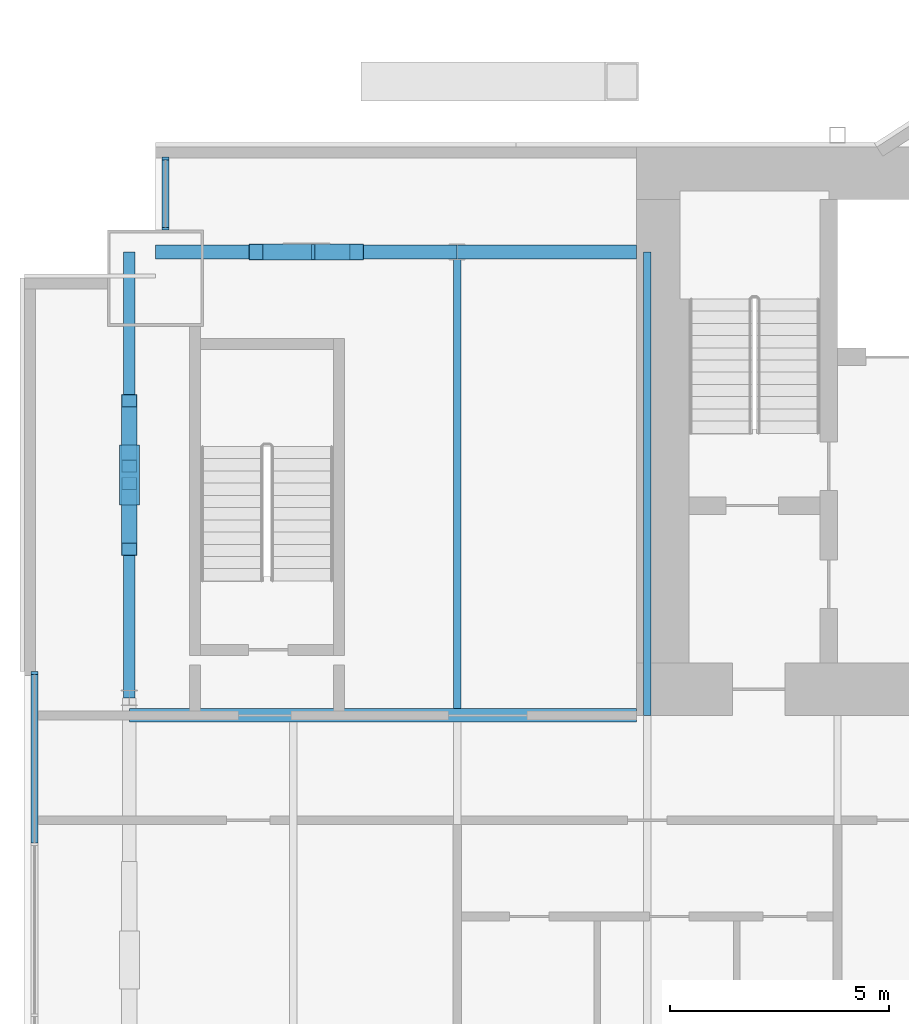
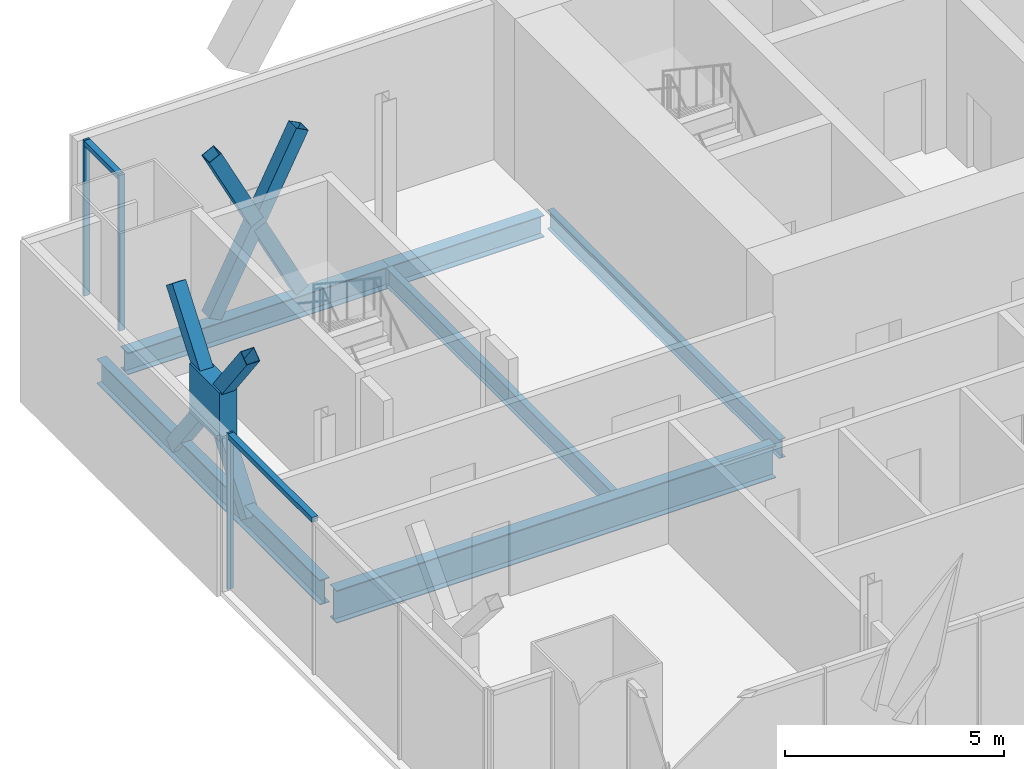
# One storey, part 7 of 19: 13 members, 6 beams, 2 elements without a shape of their own.
"""IFC4 building model written with IfcOpenShell, lengths in metres."""

import ifcopenshell
import ifcopenshell.guid

model = None  # the IFC model being written
_history = None  # IfcOwnerHistory: only IFC2X3 demands one
_inside = {}  # id of a spatial element -> (the spatial element, [elements in it])
_under = {}  # id of a project, library or spatial element -> (it, [spatial elements below it])
_declared = {}  # id of a project -> (the project, [libraries it declares])
_typed = {}  # id of a type object -> (the type object, [elements of that type])
_made_of = {}  # id of a material, layer set ... -> (it, [elements and type objects made of it])


def new_model(schema):
    """Start an empty IFC model of exactly this schema.

    Asked for "IFC4X3", IfcOpenShell would pick the latest addendum, in which some entities
    have other attributes; the version numbers below select the first issue.
    IFC2X3 requires an IfcOwnerHistory on every rooted entity: one is made here for all.
    """
    global model, _history
    if schema == "IFC4X3":
        model = ifcopenshell.file(schema_version=(4, 3, 0, 0))
    else:
        model = ifcopenshell.file(schema=schema)
    _inside.clear()
    _under.clear()
    _declared.clear()
    _typed.clear()
    _made_of.clear()
    _history = None
    if model.schema == "IFC2X3":
        org = make("IfcOrganization", Name="unknown")
        user = make(
            "IfcPersonAndOrganization",
            ThePerson=make("IfcPerson", FamilyName="unknown"),
            TheOrganization=org,
        )
        app = make(
            "IfcApplication",
            ApplicationDeveloper=org,
            Version="unknown",
            ApplicationFullName="unknown",
            ApplicationIdentifier="unknown",
        )
        _history = make(
            "IfcOwnerHistory",
            OwningUser=user,
            OwningApplication=app,
            ChangeAction="ADDED",
            CreationDate=0,
        )
    return model


def make(cls, **values):
    """One entity of the class cls with the attributes given. An attribute that is None is left unset."""
    return model.create_entity(
        cls, **{name: value for name, value in values.items() if value is not None}
    )


def rooted(cls, **values):
    """An entity with a GlobalId (a new one), such as an element, a storey or a relation."""
    return make(cls, GlobalId=ifcopenshell.guid.new(), OwnerHistory=_history, **values)


def si_unit(unit_type, name, prefix=None):
    """IfcSIUnit, for example si_unit("LENGTHUNIT", "METRE", prefix="MILLI")."""
    return make("IfcSIUnit", UnitType=unit_type, Prefix=prefix, Name=name)


def assignment(units):
    """IfcUnitAssignment: the units of a project."""
    return None if units is None else make("IfcUnitAssignment", Units=units)


def point(xyz):
    """IfcCartesianPoint."""
    return None if xyz is None else make("IfcCartesianPoint", Coordinates=xyz)


def direction(xyz):
    """IfcDirection."""
    return None if xyz is None else make("IfcDirection", DirectionRatios=xyz)


def frame(location, z_axis=None, x_axis=None):
    """IfcAxis2Placement3D, a coordinate frame: its origin and axes. An axis left out is left unset."""
    return make(
        "IfcAxis2Placement3D",
        Location=point(location),
        Axis=direction(z_axis),
        RefDirection=direction(x_axis),
    )


def frame_2d(location, x_axis=None):
    """IfcAxis2Placement2D, a coordinate frame in the plane: its origin and x axis."""
    return make(
        "IfcAxis2Placement2D", Location=point(location), RefDirection=direction(x_axis)
    )


def origin():
    """The frame at (0, 0, 0) with its axes left unset."""
    return frame((0.0, 0.0, 0.0))


def origin_2d():
    """The frame at (0, 0) in the plane with its x axis left unset."""
    return frame_2d((0.0, 0.0))


def place(relative_to, where):
    """IfcLocalPlacement: puts the frame where relative to a parent placement (None: the world)."""
    return make(
        "IfcLocalPlacement", PlacementRelTo=relative_to, RelativePlacement=where
    )


def context(
    kind, dimensions, precision=None, world=None, true_north=None, identifier=None
):
    """IfcGeometricRepresentationContext, for example the 3D "Model" context."""
    return make(
        "IfcGeometricRepresentationContext",
        ContextIdentifier=identifier,
        ContextType=kind,
        CoordinateSpaceDimension=dimensions,
        Precision=precision,
        WorldCoordinateSystem=world,
        TrueNorth=true_north,
    )


def subcontext(parent, identifier, kind, view, scale=None):
    """IfcGeometricRepresentationSubContext, for example "Body" below "Model"."""
    return make(
        "IfcGeometricRepresentationSubContext",
        ContextIdentifier=identifier,
        ContextType=kind,
        ParentContext=parent,
        TargetScale=scale,
        TargetView=view,
    )


def project(units=None, contexts=None):
    """IfcProject with its units and contexts."""
    return rooted(
        "IfcProject",
        Name="project",
        RepresentationContexts=contexts,
        UnitsInContext=assignment(units),
    )


def spatial(cls, under=None, at=None, **own):
    """A site, building, storey or space (cls), placed at a placement, below another one or the project."""
    s = rooted(cls, ObjectPlacement=at, **own)
    if under is not None:
        _under.setdefault(under.id(), (under, []))[1].append(s)
    return s


def profile(cls, at=None, kind="AREA", **sizes):
    """A parametric profile (cls). Its sizes go by their IFC names, for example OverallWidth=200.0."""
    return make(cls, ProfileType=kind, Position=at, **sizes)


def rectangle(**sizes):
    """IfcRectangleProfileDef."""
    return profile("IfcRectangleProfileDef", **sizes)


def hollow_rectangle(**sizes):
    """IfcRectangleHollowProfileDef."""
    return profile("IfcRectangleHollowProfileDef", **sizes)


def i_section(**sizes):
    """IfcIShapeProfileDef."""
    return profile("IfcIShapeProfileDef", **sizes)


def extrude(swept, where, along, depth):
    """IfcExtrudedAreaSolid: the profile swept, set in the frame where, extruded along a direction by depth."""
    return make(
        "IfcExtrudedAreaSolid",
        SweptArea=swept,
        Position=where,
        ExtrudedDirection=direction(along),
        Depth=depth,
    )


def shape(context_of_items, identifier, shape_type, items):
    """IfcShapeRepresentation: the items that make up one representation, for example the "Body"."""
    return make(
        "IfcShapeRepresentation",
        ContextOfItems=context_of_items,
        RepresentationIdentifier=identifier,
        RepresentationType=shape_type,
        Items=items,
    )


def material(Name=None, Category=None):
    """IfcMaterial."""
    return make("IfcMaterial", Name=Name, Category=Category)


def material_profile(
    of_material, cross_section, Name=None, Category=None, Priority=None
):
    """IfcMaterialProfile: a cross section and its material."""
    return make(
        "IfcMaterialProfile",
        Name=Name,
        Material=of_material,
        Profile=cross_section,
        Priority=Priority,
        Category=Category,
    )


def profile_set(profiles, Name=None, composite=None):
    """IfcMaterialProfileSet."""
    return make(
        "IfcMaterialProfileSet",
        Name=Name,
        MaterialProfiles=profiles,
        CompositeProfile=composite,
    )


def made_of(thing, what):
    """Note that an element or type object is made of a material, layer set ...; save() writes the relation."""
    if what is not None:
        _made_of.setdefault(what.id(), (what, []))[1].append(thing)
    return thing


def type_object(cls, material=None, **own):
    """A type object (cls), such as IfcWallType, which elements share."""
    return made_of(rooted(cls, **own), material)


def element(
    cls,
    number,
    at=None,
    inside=None,
    cuts=None,
    type_object=None,
    material=None,
    context=None,
    identifier="Body",
    shape_type=None,
    held_by="IfcProductDefinitionShape",
    body=None,
    shapes=None,
    **own,
):
    """One element of the class cls, such as IfcWall. Its Tag is "e" and its number.

    at: its placement. inside: the storey or other place that contains it. cuts: it is an
    opening in that element (IfcRelVoidsElement). A single representation is given by context,
    identifier, shape_type and body (its items); several are given by shapes. held_by: the class
    of the entity that holds the representations. save() writes the other relations.
    """
    e = rooted(cls, Tag="e%d" % number, ObjectPlacement=at, **own)
    if body is not None:
        shapes = [shape(context, identifier, shape_type, body)]
    if shapes is not None:
        e.Representation = make(held_by, Representations=shapes)
    if inside is not None:
        _inside.setdefault(inside.id(), (inside, []))[1].append(e)
    if cuts is not None:
        rooted(
            "IfcRelVoidsElement", RelatingBuildingElement=cuts, RelatedOpeningElement=e
        )
    if type_object is not None:
        _typed.setdefault(type_object.id(), (type_object, []))[1].append(e)
    return made_of(e, material)


def aggregate(whole, parts):
    """IfcRelAggregates: a whole, such as a stair, and the parts it consists of."""
    return rooted("IfcRelAggregates", RelatingObject=whole, RelatedObjects=parts)


def save(model, path):
    """Write the relations noted so far, then the file.

    IfcRelAggregates (storeys below a building ...), IfcRelContainedInSpatialStructure (elements
    in a storey), IfcRelDefinesByType, IfcRelAssociatesMaterial and IfcRelDeclares: one each for
    every whole, place, type object, material and project.
    """
    for whole, parts in _under.values():
        aggregate(whole, parts)
    for where, things in _inside.values():
        rooted(
            "IfcRelContainedInSpatialStructure",
            RelatedElements=things,
            RelatingStructure=where,
        )
    for kind, things in _typed.values():
        rooted("IfcRelDefinesByType", RelatedObjects=things, RelatingType=kind)
    for what, things in _made_of.values():
        rooted("IfcRelAssociatesMaterial", RelatedObjects=things, RelatingMaterial=what)
    for by, libraries in _declared.values():
        rooted("IfcRelDeclares", RelatingContext=by, RelatedDefinitions=libraries)
    model.write(path)


model = new_model("IFC4")

# Units and contexts
model_context = context("Model", 3, precision=1e-05, world=origin(), true_north=direction((0.0, 1.0)))
body_context = subcontext(model_context, "Body", "Model", "MODEL_VIEW")
ifc_project = project(units=[si_unit("LENGTHUNIT", "METRE"), si_unit("AREAUNIT", "SQUARE_METRE"), si_unit("VOLUMEUNIT", "CUBIC_METRE"), si_unit("PLANEANGLEUNIT", "RADIAN"), si_unit("MASSUNIT", "GRAM", prefix="KILO")], contexts=[model_context])

# Site, building, storey
site_placement = place(None, origin())
site = spatial("IfcSite", under=ifc_project, at=site_placement, CompositionType="ELEMENT")
building_placement = place(site_placement, origin())
building = spatial("IfcBuilding", under=site, at=building_placement, Name="Bicima Exchange Tower", CompositionType="ELEMENT")
storey_placement = place(building_placement, frame((0.0, 0.0, 297.5)))
storey = spatial("IfcBuildingStorey", under=building, at=storey_placement, Name="L67", CompositionType="ELEMENT", Elevation=297.5)

# Member
ifc_material_1 = material(Name="Steel ASTM A572 Gr 50", Category="steel")
ifc_material_profile_1 = material_profile(ifc_material_1, rectangle(XDim=0.45556640625, YDim=1.381103515625, at=origin_2d()))
ifc_profile_set_1 = profile_set([ifc_material_profile_1], Name="Steel ASTM A572 Gr 50")
member_type_1 = type_object("IfcMemberType", Name="Brace crossing node 456 x 1381", PredefinedType="POST", material=ifc_profile_set_1)
member_1_placement = place(storey_placement, frame((-33.60009765625, -7.5, 1.07275390625), z_axis=(0.0, 0.0, 1.0), x_axis=(1.0, 0.0, 0.0)))
element("IfcMember", 1, at=member_1_placement, inside=storey, type_object=member_type_1, Name="Brace crossing node block", PredefinedType="POST", context=body_context, shape_type="SweptSolid", body=[
    extrude(rectangle(XDim=0.45556640625, YDim=1.381103515625, at=origin_2d()), origin(), (0.0, 0.0, 1.0), 1.361083984375),
])

# Beam
ifc_material_2 = material(Name="Steel ASTM A992 Gr 50", Category="steel")
ifc_material_profile_2 = material_profile(ifc_material_2, i_section(OverallWidth=0.3046875, OverallDepth=0.911865234375, WebThickness=0.015869140625, FlangeThickness=0.02392578125, at=origin_2d()))
ifc_profile_set_2 = profile_set([ifc_material_profile_2], Name="Steel ASTM A992 Gr 50")
beam_type_1 = type_object("IfcBeamType", Name="Core-line girder W36x150", PredefinedType="BEAM", material=ifc_profile_set_2)
beam_1_placement = place(storey_placement, frame((-22.0, -13.0, -0.60595703125), z_axis=(-1.0, 0.0, 0.0), x_axis=(0.0, -1.0, 0.0)))
element("IfcBeam", 2, at=beam_1_placement, inside=storey, type_object=beam_type_1, Name="Core-line girder", PredefinedType="BEAM", context=body_context, shape_type="SweptSolid", body=[
    extrude(i_section(OverallWidth=0.3046875, OverallDepth=0.911865234375, WebThickness=0.015869140625, FlangeThickness=0.02392578125, at=origin_2d()), origin(), (0.0, 0.0, 1.0), 11.60009765625),
])

# Curtain wall, members
ifc_material_3 = material(Name="Anodised bronze aluminium", Category="aluminium")
curtain_wall_type_1 = type_object("IfcCurtainWallType", Name="End face glass wall", PredefinedType="NOTDEFINED", material=ifc_material_3)
curtain_wall_1_placement = place(storey_placement, origin())
curtain_wall_1 = element("IfcCurtainWall", 3, at=curtain_wall_1_placement, inside=storey, type_object=curtain_wall_type_1, Name="End face glass wall L67 run 2", PredefinedType="NOTDEFINED")
ifc_material_profile_3 = material_profile(ifc_material_3, rectangle(XDim=0.159912109375, YDim=0.06005859375, at=origin_2d()))
ifc_profile_set_3 = profile_set([ifc_material_profile_3], Name="Anodised bronze aluminium")
member_type_2 = type_object("IfcMemberType", Name="End face glass wall mullion 60 x 160", PredefinedType="MULLION", material=ifc_profile_set_3)
member_2_placement = place(storey_placement, frame((-35.77001953125, -12.030029296875, 0.0), z_axis=(0.0, 0.0, 1.0), x_axis=(1.0, 0.0, 0.0)))
member_2 = element("IfcMember", 4, at=member_2_placement, type_object=member_type_2, Name="End face glass wall mullion 1", PredefinedType="MULLION", context=body_context, shape_type="SweptSolid", body=[
    extrude(rectangle(XDim=0.159912109375, YDim=0.06005859375, at=origin_2d()), origin(), (0.0, 0.0, 1.0), 4.35009765625),
])
ifc_material_profile_4 = material_profile(ifc_material_3, rectangle(XDim=0.159912109375, YDim=0.139892578125, at=origin_2d()))
ifc_profile_set_4 = profile_set([ifc_material_profile_4], Name="Anodised bronze aluminium")
member_type_3 = type_object("IfcMemberType", Name="End face glass wall transom 140 x 160", PredefinedType="USERDEFINED", material=ifc_profile_set_4)
member_3_placement = place(storey_placement, frame((-35.77001953125, -12.06005859375, 4.280029296875), z_axis=(0.0, -1.0, 0.0), x_axis=(1.0, 0.0, 0.0)))
member_3 = element("IfcMember", 5, at=member_3_placement, type_object=member_type_3, Name="End face glass wall transom 1.1", ObjectType="TRANSOM", PredefinedType="USERDEFINED", context=body_context, shape_type="SweptSolid", body=[
    extrude(rectangle(XDim=0.159912109375, YDim=0.139892578125, at=origin_2d()), origin(), (0.0, 0.0, 1.0), 3.855224609375),
])
aggregate(curtain_wall_1, [member_2, member_3])

# Beams
ifc_material_profile_5 = material_profile(ifc_material_2, i_section(OverallWidth=0.256591796875, OverallDepth=0.693359375, WebThickness=0.014404296875, FlangeThickness=0.023681640625, at=origin_2d()))
ifc_profile_set_5 = profile_set([ifc_material_profile_5], Name="Steel ASTM A992 Gr 50")
beam_type_2 = type_object("IfcBeamType", Name="End girder W27x114", PredefinedType="BEAM", material=ifc_profile_set_5)
beam_2_placement = place(storey_placement, frame((-33.60009765625, -2.39990234375, -0.49658203125), z_axis=(0.0, -1.0, 0.0), x_axis=(1.0, 0.0, 0.0)))
element("IfcBeam", 6, at=beam_2_placement, inside=storey, type_object=beam_type_2, Name="End girder", PredefinedType="BEAM", context=body_context, shape_type="SweptSolid", body=[
    extrude(i_section(OverallWidth=0.256591796875, OverallDepth=0.693359375, WebThickness=0.014404296875, FlangeThickness=0.023681640625, at=origin_2d()), origin(), (0.0, 0.0, 1.0), 10.2001953125),
])
ifc_material_profile_6 = material_profile(ifc_material_2, i_section(OverallWidth=0.165771484375, OverallDepth=0.5283203125, WebThickness=0.009765625, FlangeThickness=0.013671875, at=origin_2d()))
ifc_profile_set_6 = profile_set([ifc_material_profile_6], Name="Steel ASTM A992 Gr 50")
beam_type_3 = type_object("IfcBeamType", Name="Floor beam W21x50", PredefinedType="JOIST", material=ifc_profile_set_6)
beam_3_placement = place(storey_placement, frame((-26.10009765625, -2.5625, -0.414306640625), z_axis=(0.0, -1.0, 0.0), x_axis=(1.0, 0.0, 0.0)))
element("IfcBeam", 7, at=beam_3_placement, inside=storey, type_object=beam_type_3, Name="Floor beam", PredefinedType="JOIST", context=body_context, shape_type="SweptSolid", body=[
    extrude(i_section(OverallWidth=0.165771484375, OverallDepth=0.5283203125, WebThickness=0.009765625, FlangeThickness=0.013671875, at=origin_2d()), origin(), (0.0, 0.0, 1.0), 10.28515625),
])
beam_4_placement = place(storey_placement, frame((-21.75, -2.39990234375, -0.414306640625), z_axis=(0.0, -1.0, 0.0), x_axis=(1.0, 0.0, 0.0)))
element("IfcBeam", 8, at=beam_4_placement, inside=storey, type_object=beam_type_3, Name="Floor beam", PredefinedType="JOIST", context=body_context, shape_type="SweptSolid", body=[
    extrude(i_section(OverallWidth=0.165771484375, OverallDepth=0.5283203125, WebThickness=0.009765625, FlangeThickness=0.013671875, at=origin_2d()), origin(), (0.0, 0.0, 1.0), 10.60009765625),
])

# Curtain wall, members
curtain_wall_type_2 = type_object("IfcCurtainWallType", Name="Front glass wall", PredefinedType="NOTDEFINED", material=ifc_material_3)
curtain_wall_2_placement = place(storey_placement, origin())
curtain_wall_2 = element("IfcCurtainWall", 9, at=curtain_wall_2_placement, inside=storey, type_object=curtain_wall_type_2, Name="Front glass wall L67 run 1", PredefinedType="NOTDEFINED")
member_type_4 = type_object("IfcMemberType", Name="Front glass wall mullion 60 x 160", PredefinedType="MULLION", material=ifc_profile_set_3)
member_4_placement = place(storey_placement, frame((-32.77001953125, -0.260009765625, 0.0), z_axis=(0.0, 0.0, 1.0), x_axis=(1.0, 0.0, 0.0)))
member_4 = element("IfcMember", 10, at=member_4_placement, type_object=member_type_4, Name="Front glass wall mullion 1", PredefinedType="MULLION", context=body_context, shape_type="SweptSolid", body=[
    extrude(rectangle(XDim=0.159912109375, YDim=0.06005859375, at=origin_2d()), origin(), (0.0, 0.0, 1.0), 4.35009765625),
])
member_5_placement = place(storey_placement, frame((-32.77001953125, -1.8701171875, 0.0), z_axis=(0.0, 0.0, 1.0), x_axis=(1.0, 0.0, 0.0)))
member_5 = element("IfcMember", 11, at=member_5_placement, type_object=member_type_4, Name="Front glass wall mullion 2", PredefinedType="MULLION", context=body_context, shape_type="SweptSolid", body=[
    extrude(rectangle(XDim=0.159912109375, YDim=0.06005859375, at=origin_2d()), origin(), (0.0, 0.0, 1.0), 4.35009765625),
])
member_type_5 = type_object("IfcMemberType", Name="Front glass wall transom 140 x 160", PredefinedType="USERDEFINED", material=ifc_profile_set_4)
member_6_placement = place(storey_placement, frame((-32.77001953125, -0.2900390625, 4.280029296875), z_axis=(0.0, -1.0, 0.0), x_axis=(1.0, 0.0, 0.0)))
member_6 = element("IfcMember", 12, at=member_6_placement, type_object=member_type_5, Name="Front glass wall transom 1.1", ObjectType="TRANSOM", PredefinedType="USERDEFINED", context=body_context, shape_type="SweptSolid", body=[
    extrude(rectangle(XDim=0.159912109375, YDim=0.139892578125, at=origin_2d()), origin(), (0.0, 0.0, 1.0), 1.550048828125),
])
aggregate(curtain_wall_2, [member_4, member_5, member_6])

# Members
ifc_material_profile_7 = material_profile(ifc_material_1, hollow_rectangle(XDim=0.355712890625, YDim=0.355712890625, WallThickness=0.01171875, at=origin_2d()))
ifc_profile_set_7 = profile_set([ifc_material_profile_7], Name="Steel ASTM A572 Gr 50")
member_type_6 = type_object("IfcMemberType", Name="Mega brace HSS14x14x1/2", PredefinedType="BRACE", material=ifc_profile_set_7)
member_7_placement = place(storey_placement, frame((-30.699951171875, -2.39990234375, 0.0), z_axis=(0.455118720355, 0.0, 0.890430766754), x_axis=(0.0, 1.0, 0.0)))
element("IfcMember", 13, at=member_7_placement, inside=storey, type_object=member_type_6, Name="Mega brace rear", PredefinedType="BRACE", context=body_context, shape_type="SweptSolid", body=[
    extrude(hollow_rectangle(XDim=0.355712890625, YDim=0.355712890625, WallThickness=0.01171875, at=origin_2d()), origin(), (0.0, 0.0, 1.0), 5.0537109375),
])
for number, where, z_axis, x_axis, name in (
    (14, (-28.39990234375, -2.39990234375, 0.0), (-0.455104022768, 0.0, 0.890438278861), (0.0, -1.0, 0.0), "Mega brace rear"),
    (15, (-29.587158203125, -2.39990234375, 2.32275390625), (-0.455104022768, 0.0, 0.890438278861), (0.0, -1.0, 0.0), "Mega brace rear"),
):
    element("IfcMember", number, at=place(storey_placement, frame(where, z_axis=z_axis, x_axis=x_axis)), inside=storey, type_object=member_type_6, Name=name, PredefinedType="BRACE", context=body_context, shape_type="SweptSolid", body=[
        extrude(hollow_rectangle(XDim=0.355712890625, YDim=0.355712890625, WallThickness=0.01171875, at=origin_2d()), origin(), (0.0, 0.0, 1.0), 2.445068359375),
    ])
member_8_placement = place(storey_placement, frame((-33.60009765625, -5.800048828125, -0.49658203125), z_axis=(0.0, -0.602892613419, 0.797822346569), x_axis=(1.0, 0.0, 0.0)))
element("IfcMember", 16, at=member_8_placement, inside=storey, type_object=member_type_6, Name="Mega brace west end", PredefinedType="BRACE", context=body_context, shape_type="SweptSolid", body=[
    extrude(hollow_rectangle(XDim=0.355712890625, YDim=0.355712890625, WallThickness=0.01171875, at=origin_2d()), origin(), (0.0, 0.0, 1.0), 2.494873046875),
])
member_9_placement = place(storey_placement, frame((-33.60009765625, -7.69580078125, 2.012451171875), z_axis=(0.0, -0.602798485934, 0.797893467423), x_axis=(1.0, 0.0, 0.0)))
element("IfcMember", 17, at=member_9_placement, inside=storey, type_object=member_type_6, Name="Mega brace west end", PredefinedType="BRACE", context=body_context, shape_type="SweptSolid", body=[
    extrude(hollow_rectangle(XDim=0.355712890625, YDim=0.355712890625, WallThickness=0.01171875, at=origin_2d()), origin(), (0.0, 0.0, 1.0), 2.495361328125),
])
member_10_placement = place(storey_placement, frame((-33.60009765625, -9.199951171875, -0.49658203125), z_axis=(0.0, 0.602892613419, 0.797822346569), x_axis=(-1.0, 0.0, 0.0)))
element("IfcMember", 18, at=member_10_placement, inside=storey, type_object=member_type_6, Name="Mega brace west end", PredefinedType="BRACE", context=body_context, shape_type="SweptSolid", body=[
    extrude(hollow_rectangle(XDim=0.355712890625, YDim=0.355712890625, WallThickness=0.01171875, at=origin_2d()), origin(), (0.0, 0.0, 1.0), 2.494873046875),
])
member_11_placement = place(storey_placement, frame((-33.60009765625, -7.30419921875, 2.012451171875), z_axis=(0.0, 0.602798485934, 0.797893467423), x_axis=(-1.0, 0.0, 0.0)))
element("IfcMember", 19, at=member_11_placement, inside=storey, type_object=member_type_6, Name="Mega brace west end", PredefinedType="BRACE", context=body_context, shape_type="SweptSolid", body=[
    extrude(hollow_rectangle(XDim=0.355712890625, YDim=0.355712890625, WallThickness=0.01171875, at=origin_2d()), origin(), (0.0, 0.0, 1.0), 2.495361328125),
])

# Beams
ifc_material_profile_8 = material_profile(ifc_material_2, i_section(OverallWidth=0.3251953125, OverallDepth=0.612060546875, WebThickness=0.0126953125, FlangeThickness=0.01904296875, at=origin_2d()))
ifc_profile_set_8 = profile_set([ifc_material_profile_8], Name="Steel ASTM A992 Gr 50")
beam_type_4 = type_object("IfcBeamType", Name="Rear girder W24x104", PredefinedType="BEAM", material=ifc_profile_set_8)
beam_5_placement = place(storey_placement, frame((-22.0, -2.39990234375, -0.4560546875), z_axis=(-1.0, 0.0, 0.0), x_axis=(0.0, -1.0, 0.0)))
element("IfcBeam", 20, at=beam_5_placement, inside=storey, type_object=beam_type_4, Name="Rear girder", PredefinedType="BEAM", context=body_context, shape_type="SweptSolid", body=[
    extrude(i_section(OverallWidth=0.3251953125, OverallDepth=0.612060546875, WebThickness=0.0126953125, FlangeThickness=0.01904296875, at=origin_2d()), origin(), (0.0, 0.0, 1.0), 4.10009765625),
])
beam_6_placement = place(storey_placement, frame((-26.10009765625, -2.39990234375, -0.4560546875), z_axis=(-1.0, 0.0, 0.0), x_axis=(0.0, -1.0, 0.0)))
element("IfcBeam", 21, at=beam_6_placement, inside=storey, type_object=beam_type_4, Name="Rear girder", PredefinedType="BEAM", context=body_context, shape_type="SweptSolid", body=[
    extrude(i_section(OverallWidth=0.3251953125, OverallDepth=0.612060546875, WebThickness=0.0126953125, FlangeThickness=0.01904296875, at=origin_2d()), origin(), (0.0, 0.0, 1.0), 6.89990234375),
])

save(model, "model.ifc")
